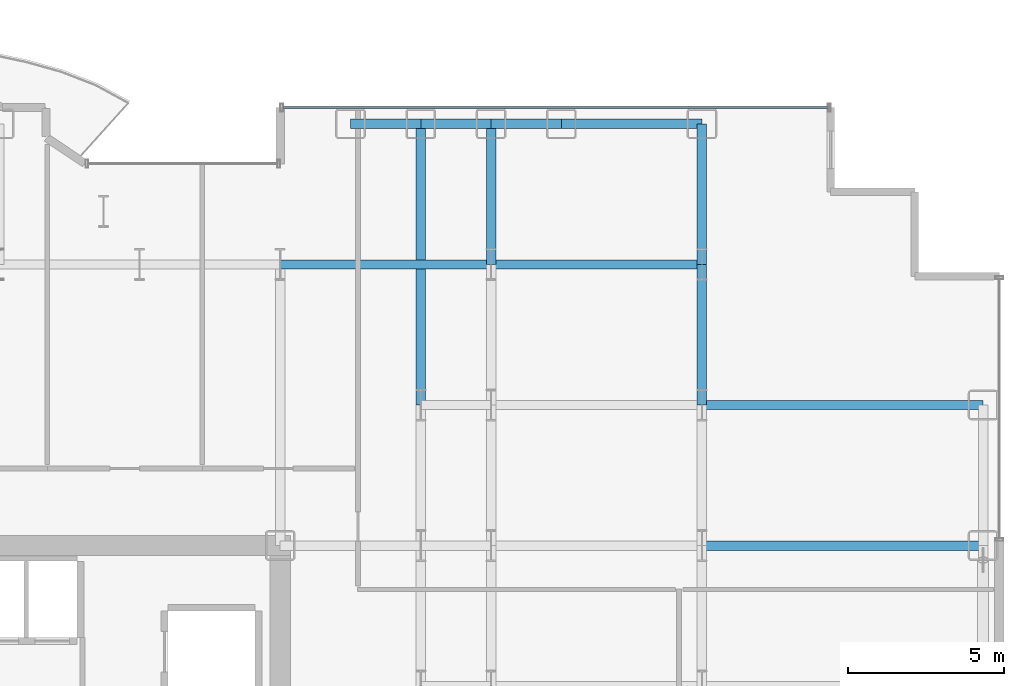
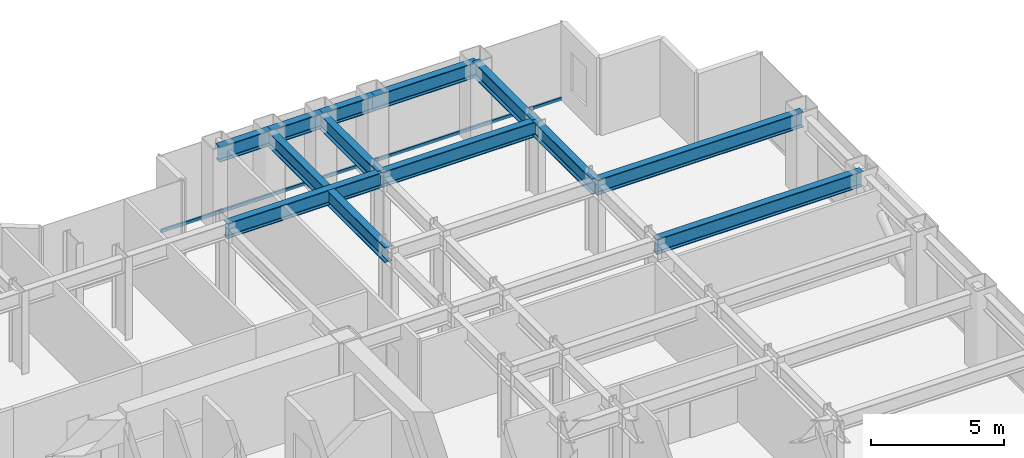
# One storey, part 16 of 29: 12 beams, 1 member, 1 element without a shape of its own.
"""IFC4 building model written with IfcOpenShell, lengths in metres."""

from ifc_helpers import new_model, si_unit, direction, frame, origin, origin_2d, place, context, subcontext, project, spatial, hollow_rectangle, i_section, extrude, source, transform, mapped, material, layer, layer_set, material_profile, profile_set, type_object, element, aggregate, save


model = new_model("IFC4")

# Units and contexts
model_context = context("Model", 3, precision=1e-05, world=origin(), true_north=direction((0.0, 1.0)))
body_context = subcontext(model_context, "Body", "Model", "MODEL_VIEW")
ifc_project = project(units=[si_unit("LENGTHUNIT", "METRE"), si_unit("AREAUNIT", "SQUARE_METRE"), si_unit("VOLUMEUNIT", "CUBIC_METRE"), si_unit("PLANEANGLEUNIT", "RADIAN"), si_unit("MASSUNIT", "GRAM", prefix="KILO")], contexts=[model_context])

# Site, building, storey
site_placement = place(None, origin())
site = spatial("IfcSite", under=ifc_project, at=site_placement, CompositionType="ELEMENT")
building_placement = place(site_placement, origin())
building = spatial("IfcBuilding", under=site, at=building_placement, Name="Nefas-Gora Pilgrimage Tower", CompositionType="ELEMENT")
storey_placement = place(building_placement, frame((0.0, 0.0, 78.60009765625)))
storey = spatial("IfcBuildingStorey", under=building, at=storey_placement, Name="L18", CompositionType="ELEMENT", Elevation=78.60009765625)

# Beams
ifc_material_1 = material(Name="Steel S355", Category="steel")
ifc_material_profile_1 = material_profile(ifc_material_1, i_section(OverallWidth=0.300048828125, OverallDepth=0.699951171875, WebThickness=0.01708984375, FlangeThickness=0.031982421875, FilletRadius=0.027099609375, at=origin_2d()), Name="HEB 700")
ifc_profile_set_1 = profile_set([ifc_material_profile_1], Name="Steel S355")
beam_type_1 = type_object("IfcBeamType", Name="BM-SPN-HEB600", PredefinedType="SPANDREL", material=ifc_profile_set_1)
shared_shape_1 = source(origin(), body_context, "Body", "SweptSolid", [
    extrude(i_section(OverallWidth=0.300048828125, OverallDepth=0.699951171875, WebThickness=0.01708984375, FlangeThickness=0.031982421875, FilletRadius=0.027099609375, at=origin_2d()), origin(), (0.0, 0.0, 1.0), 4.5),
])
beam_placement = place(storey_placement, frame((20.25, 22.5, 3.199951171875), z_axis=(1.0, 0.0, 0.0), x_axis=(0.0, 1.0, 0.0)))
element("IfcBeam", 1, at=beam_placement, inside=storey, type_object=beam_type_1, Name="L18 SP-01 beam", PredefinedType="SPANDREL", context=body_context, shape_type="MappedRepresentation", body=[
    mapped(shared_shape_1, transform((0.0, 0.0, 0.0), x_axis=(1.0, 0.0, 0.0), y_axis=(0.0, 1.0, 0.0), z_axis=(0.0, 0.0, 1.0), scale=1.0)),
])
ifc_material_profile_2 = material_profile(ifc_material_1, i_section(OverallWidth=0.300048828125, OverallDepth=0.699951171875, WebThickness=0.01708984375, FlangeThickness=0.031982421875, FilletRadius=0.027099609375, at=origin_2d()), Name="HEB 700")
ifc_profile_set_2 = profile_set([ifc_material_profile_2], Name="Steel S355")
beam_type_2 = type_object("IfcBeamType", Name="BM-GIR-HEB700", PredefinedType="BEAM", material=ifc_profile_set_2)
shared_shape_2 = source(origin(), body_context, "Body", "SweptSolid", [
    extrude(i_section(OverallWidth=0.300048828125, OverallDepth=0.699951171875, WebThickness=0.01708984375, FlangeThickness=0.031982421875, FilletRadius=0.027099609375, at=origin_2d()), origin(), (0.0, 0.0, 1.0), 9.0),
])
for number, where, z_axis, x_axis, name in (
    (2, (15.75, 13.5, 3.199951171875), (0.0, 1.0, 0.0), (-1.0, 0.0, 0.0), "L18 G-02 beam"),
    (3, (24.75, 9.0, 3.199951171875), (1.0, 0.0, 0.0), (0.0, 1.0, 0.0), "L18 G-02 beam"),
    (4, (24.75, 13.5, 3.199951171875), (1.0, 0.0, 0.0), (0.0, 1.0, 0.0), "L18 G-02 beam"),
):
    element("IfcBeam", number, at=place(storey_placement, frame(where, z_axis=z_axis, x_axis=x_axis)), inside=storey, type_object=beam_type_2, Name=name, PredefinedType="BEAM", context=body_context, shape_type="MappedRepresentation", body=[
        mapped(shared_shape_2, transform((0.0, 0.0, 0.0), x_axis=(1.0, 0.0, 0.0), y_axis=(0.0, 1.0, 0.0), z_axis=(0.0, 0.0, 1.0), scale=1.0)),
    ])
shared_shape_3 = source(origin(), body_context, "Body", "SweptSolid", [
    extrude(i_section(OverallWidth=0.300048828125, OverallDepth=0.699951171875, WebThickness=0.01708984375, FlangeThickness=0.031982421875, FilletRadius=0.027099609375, at=origin_2d()), origin(), (0.0, 0.0, 1.0), 4.5),
])
for number, where, z_axis, x_axis, name in (
    (5, (18.0, 18.0, 3.199951171875), (0.0, 1.0, 0.0), (-1.0, 0.0, 0.0), "L18 G-02 beam"),
    (6, (24.75, 13.5, 3.199951171875), (0.0, 1.0, 0.0), (-1.0, 0.0, 0.0), "L18 G-02 beam"),
    (7, (24.75, 18.0, 3.199951171875), (0.0, 1.0, 0.0), (-1.0, 0.0, 0.0), "L18 G-02 beam"),
):
    element("IfcBeam", number, at=place(storey_placement, frame(where, z_axis=z_axis, x_axis=x_axis)), inside=storey, type_object=beam_type_2, Name=name, PredefinedType="BEAM", context=body_context, shape_type="MappedRepresentation", body=[
        mapped(shared_shape_3, transform((0.0, 0.0, 0.0), x_axis=(1.0, 0.0, 0.0), y_axis=(0.0, 1.0, 0.0), z_axis=(0.0, 0.0, 1.0), scale=1.0)),
    ])
shared_shape_4 = source(origin(), body_context, "Body", "SweptSolid", [
    extrude(i_section(OverallWidth=0.300048828125, OverallDepth=0.699951171875, WebThickness=0.01708984375, FlangeThickness=0.031982421875, FilletRadius=0.027099609375, at=origin_2d()), origin(), (0.0, 0.0, 1.0), 6.75),
])
for number, where, z_axis, x_axis, name in (
    (8, (11.25, 18.0, 3.199951171875), (1.0, 0.0, 0.0), (0.0, 1.0, 0.0), "L18 G-02 beam"),
    (9, (18.0, 18.0, 3.199951171875), (1.0, 0.0, 0.0), (0.0, 1.0, 0.0), "L18 G-02 beam"),
):
    element("IfcBeam", number, at=place(storey_placement, frame(where, z_axis=z_axis, x_axis=x_axis)), inside=storey, type_object=beam_type_2, Name=name, PredefinedType="BEAM", context=body_context, shape_type="MappedRepresentation", body=[
        mapped(shared_shape_4, transform((0.0, 0.0, 0.0), x_axis=(1.0, 0.0, 0.0), y_axis=(0.0, 1.0, 0.0), z_axis=(0.0, 0.0, 1.0), scale=1.0)),
    ])
shared_shape_5 = source(origin(), body_context, "Body", "SweptSolid", [
    extrude(i_section(OverallWidth=0.300048828125, OverallDepth=0.699951171875, WebThickness=0.01708984375, FlangeThickness=0.031982421875, FilletRadius=0.027099609375, at=origin_2d()), origin(), (0.0, 0.0, 1.0), 2.25),
])
for number, where, z_axis, x_axis, name in (
    (10, (13.5, 22.5, 3.199951171875), (1.0, 0.0, 0.0), (0.0, 1.0, 0.0), "L18 SP-01 beam"),
    (11, (15.75, 22.5, 3.199951171875), (1.0, 0.0, 0.0), (0.0, 1.0, 0.0), "L18 SP-01 beam"),
    (12, (18.0, 22.5, 3.199951171875), (1.0, 0.0, 0.0), (0.0, 1.0, 0.0), "L18 SP-01 beam"),
):
    element("IfcBeam", number, at=place(storey_placement, frame(where, z_axis=z_axis, x_axis=x_axis)), inside=storey, type_object=beam_type_1, Name=name, PredefinedType="SPANDREL", context=body_context, shape_type="MappedRepresentation", body=[
        mapped(shared_shape_5, transform((0.0, 0.0, 0.0), x_axis=(1.0, 0.0, 0.0), y_axis=(0.0, 1.0, 0.0), z_axis=(0.0, 0.0, 1.0), scale=1.0)),
    ])

# Curtain wall, member
ifc_material_2 = material(Name="Dark ceramic-fritted solar-control aluminium-glass curtain wall", Category="aluminium")
ifc_layer = layer(ifc_material_2, 0.219970703125)
ifc_layer_set = layer_set([ifc_layer], Name="Dark ceramic-fritted solar-control aluminium-glass curtain wall")
curtain_wall_type = type_object("IfcCurtainWallType", Name="CW-SYS-2", PredefinedType="NOTDEFINED", material=ifc_layer_set)
curtain_wall_placement = place(storey_placement, origin())
curtain_wall = element("IfcCurtainWall", 13, at=curtain_wall_placement, inside=storey, type_object=curtain_wall_type, Name="L18 Unitised Curtain Wall CW2", PredefinedType="NOTDEFINED")
ifc_material_3 = material(Name="Anodised architectural aluminium", Category="aluminium")
ifc_material_profile_3 = material_profile(ifc_material_3, hollow_rectangle(XDim=0.080078125, YDim=0.159912109375, WallThickness=0.00439453125, InnerFilletRadius=0.00439453125, OuterFilletRadius=0.009033203125, at=origin_2d()), Name="ALU TRANSOM 80x160")
ifc_profile_set_3 = profile_set([ifc_material_profile_3], Name="Anodised architectural aluminium")
member_type = type_object("IfcMemberType", Name="CWM-TRN-2", PredefinedType="USERDEFINED", material=ifc_profile_set_3)
shared_shape_6 = source(origin(), body_context, "Body", "SweptSolid", [
    extrude(hollow_rectangle(XDim=0.080078125, YDim=0.159912109375, WallThickness=0.00439453125, InnerFilletRadius=0.00439453125, OuterFilletRadius=0.009033203125, at=origin_2d()), origin(), (0.0, 0.0, 1.0), 17.43994140625),
])
member_placement = place(storey_placement, frame((28.780029296875, 23.02001953125, 0.0498046875), z_axis=(-1.0, 0.0, 0.0), x_axis=(0.0, -1.0, 0.0)))
member = element("IfcMember", 14, at=member_placement, type_object=member_type, Name="CW2 Spandrel Transom", ObjectType="TRANSOM", PredefinedType="USERDEFINED", context=body_context, shape_type="MappedRepresentation", body=[
    mapped(shared_shape_6, transform((0.0, 0.0, 0.0), x_axis=(1.0, 0.0, 0.0), y_axis=(0.0, 1.0, 0.0), z_axis=(0.0, 0.0, 1.0), scale=1.0)),
])
aggregate(curtain_wall, [member])

save(model, "model.ifc")
